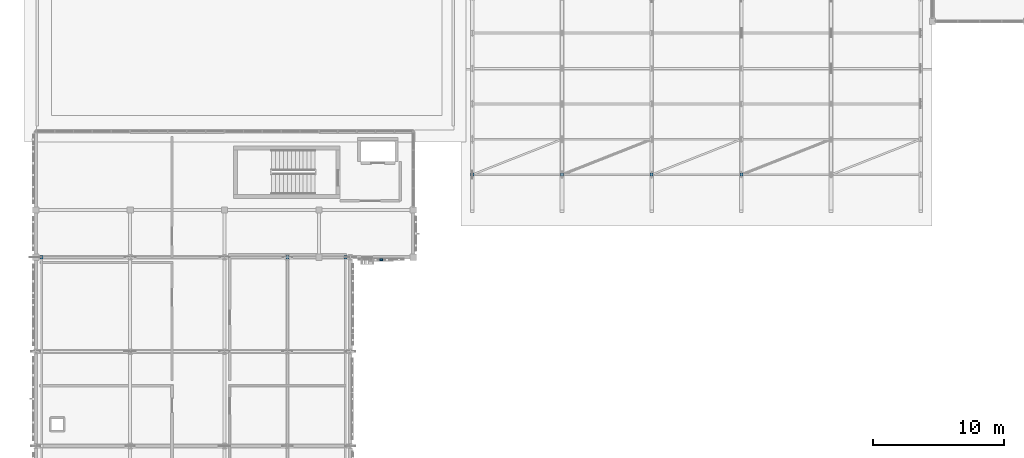
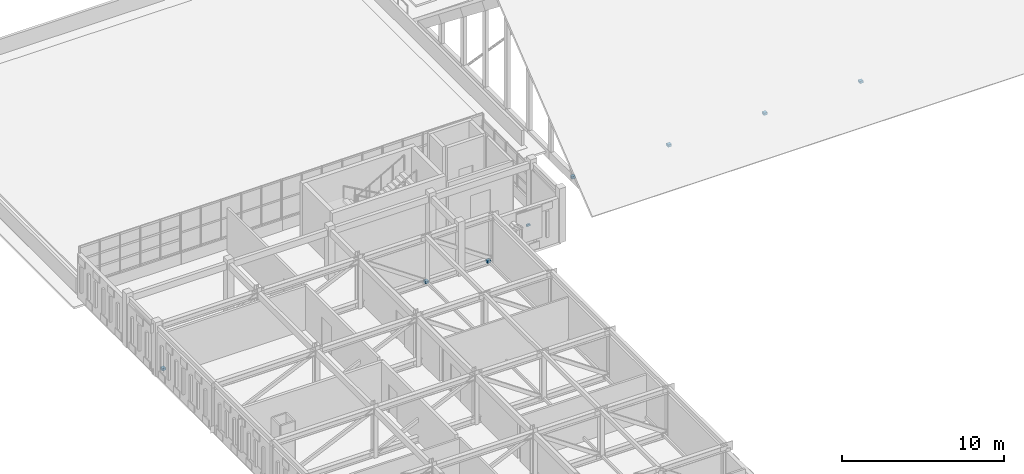
# One storey, part 58 of 79: 8 discrete accessories.
"""IFC4 building model written with IfcOpenShell, lengths in metres."""

from ifc_helpers import new_model, si_unit, direction, frame, origin, origin_2d, place, context, subcontext, project, spatial, rectangle, extrude, material, type_object, element, save


model = new_model("IFC4")

# Units and contexts
model_context = context("Model", 3, precision=1e-05, world=origin(), true_north=direction((0.0, 1.0)))
body_context = subcontext(model_context, "Body", "Model", "MODEL_VIEW")
ifc_project = project(units=[si_unit("LENGTHUNIT", "METRE"), si_unit("AREAUNIT", "SQUARE_METRE"), si_unit("VOLUMEUNIT", "CUBIC_METRE"), si_unit("PLANEANGLEUNIT", "RADIAN"), si_unit("MASSUNIT", "GRAM", prefix="KILO")], contexts=[model_context])

# Site, building, storey
site_placement = place(None, origin())
site = spatial("IfcSite", under=ifc_project, at=site_placement, CompositionType="ELEMENT")
building_placement = place(site_placement, origin())
building = spatial("IfcBuilding", under=site, at=building_placement, Name="Nzembalo Square Collegiate School", CompositionType="ELEMENT")
storey_placement = place(building_placement, frame((0.0, 0.0, 9.52001953125)))
storey = spatial("IfcBuildingStorey", under=building, at=storey_placement, Name="L02", CompositionType="ELEMENT", Elevation=9.52001953125)

# Discrete accessories
ifc_material = material(Name="Steel S355", Category="steel")
discrete_accessory_type = type_object("IfcDiscreteAccessoryType", Name="BK01", PredefinedType="BRACKET", material=ifc_material)
discrete_accessory_placement = place(storey_placement, frame((34.7548828125, 79.012451171875, 2.04443359375), z_axis=(0.0, 0.0, 1.0), x_axis=(1.0, 0.0, 0.0)))
element("IfcDiscreteAccessory", 1, at=discrete_accessory_placement, inside=storey, type_object=discrete_accessory_type, Name="Screen bracket BK01-012", PredefinedType="BRACKET", context=body_context, shape_type="SweptSolid", body=[
    extrude(rectangle(XDim=0.239990234375, YDim=0.1201171875, at=origin_2d()), origin(), (0.0, 0.0, 1.0), 0.139892578125),
])
for number, where, z_axis, x_axis, name in (
    (2, (41.699951171875, 85.5, -0.68994140625), (0.0, 0.0, 1.0), (1.0, 0.0, 0.0), "Steel S355 brace end gusset shoe BK01-B057"),
    (3, (48.5400390625, 85.5, -0.68994140625), (0.0, 0.0, 1.0), (1.0, 0.0, 0.0), "Steel S355 brace end gusset shoe BK01-B061"),
    (4, (55.3798828125, 85.5, -0.68994140625), (0.0, 0.0, 1.0), (1.0, 0.0, 0.0), "Steel S355 brace end gusset shoe BK01-B065"),
    (5, (62.219970703125, 85.5, -0.68994140625), (0.0, 0.0, 1.0), (1.0, 0.0, 0.0), "Steel S355 brace end gusset shoe BK01-B069"),
    (6, (32.02001953125, 79.199951171875, 0.169921875), (0.0, 0.0, 1.0), (1.0, 0.0, 0.0), "Steel S355 brace end gusset shoe BK01-B085"),
    (7, (27.60009765625, 79.199951171875, 0.169921875), (0.0, 0.0, 1.0), (1.0, 0.0, 0.0), "Steel S355 brace end gusset shoe BK01-B086"),
    (8, (8.85009765625, 79.199951171875, 0.169921875), (0.0, 0.0, 1.0), (1.0, 0.0, 0.0), "Steel S355 brace end gusset shoe BK01-B091"),
):
    element("IfcDiscreteAccessory", number, at=place(storey_placement, frame(where, z_axis=z_axis, x_axis=x_axis)), inside=storey, type_object=discrete_accessory_type, Name=name, PredefinedType="BRACKET", context=body_context, shape_type="SweptSolid", body=[
        extrude(rectangle(XDim=0.239990234375, YDim=0.239990234375, at=origin_2d()), origin(), (0.0, 0.0, 1.0), 0.179931640625),
    ])

save(model, "model.ifc")
